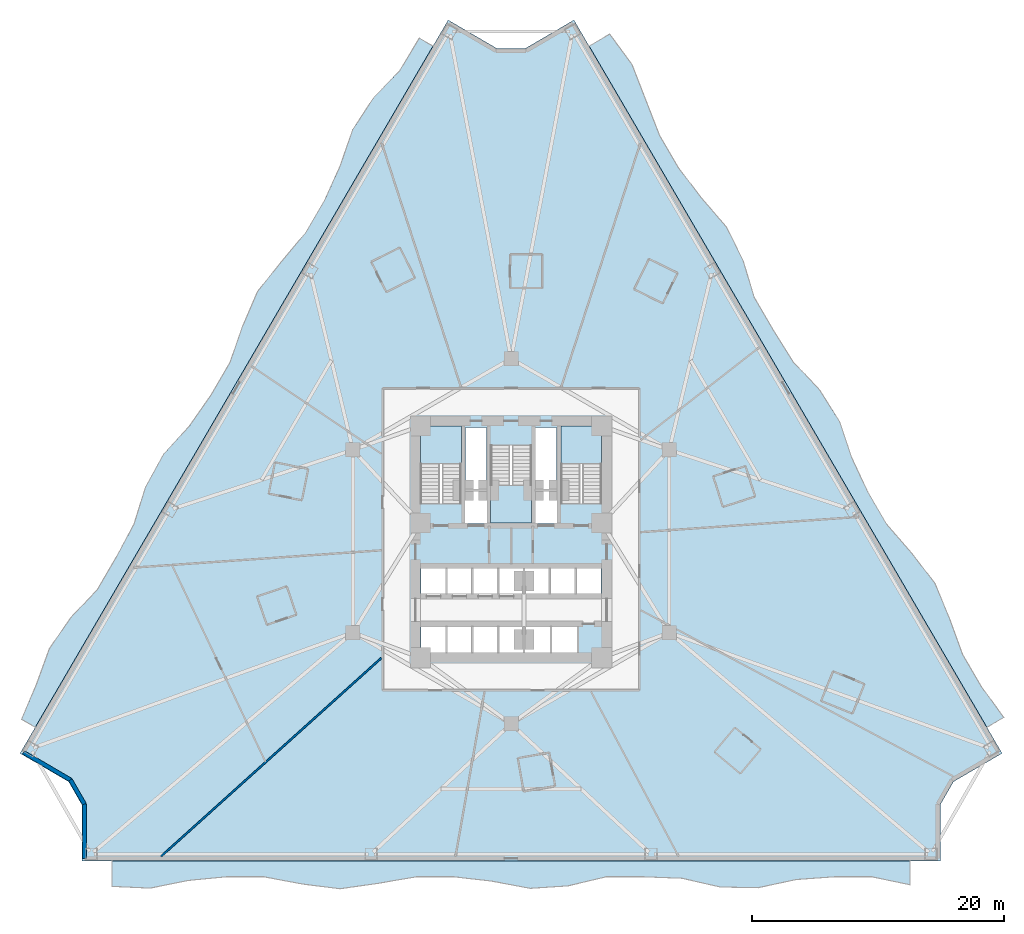
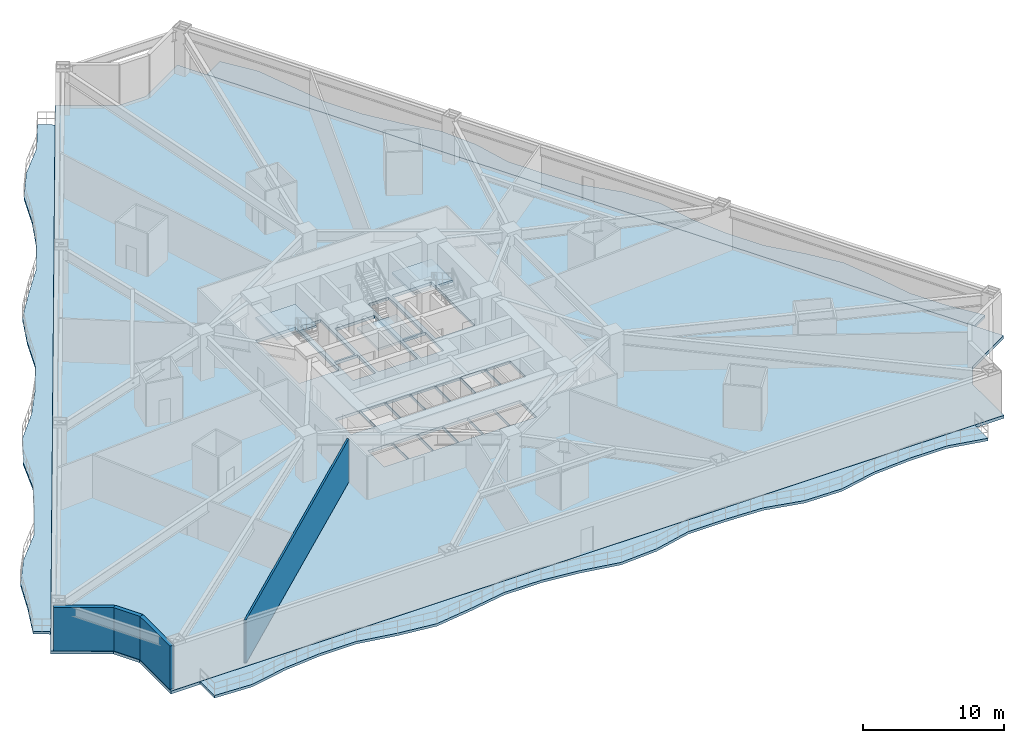
# One storey, part 2 of 12: 7 slabs, 4 walls, 3 elements without a shape of their own.
"""IFC4 building model written with IfcOpenShell, lengths in metres."""

from ifc_helpers import new_model, si_unit, direction, frame, frame_2d, origin, place, context, subcontext, project, spatial, polyline, rectangle, outline, extrude, material, layer, layer_set, type_object, element, aggregate, save


model = new_model("IFC4")

# Units and contexts
model_context = context("Model", 3, precision=1e-05, world=origin(), true_north=direction((0.0, 1.0)))
body_context = subcontext(model_context, "Body", "Model", "MODEL_VIEW")
ifc_project = project(units=[si_unit("LENGTHUNIT", "METRE"), si_unit("AREAUNIT", "SQUARE_METRE"), si_unit("VOLUMEUNIT", "CUBIC_METRE"), si_unit("PLANEANGLEUNIT", "RADIAN"), si_unit("MASSUNIT", "GRAM", prefix="KILO")], contexts=[model_context])

# Site, building, storey
site_placement = place(None, origin())
site = spatial("IfcSite", under=ifc_project, at=site_placement, CompositionType="ELEMENT")
building_placement = place(site_placement, origin())
building = spatial("IfcBuilding", under=site, at=building_placement, Name="Apsidion Concourse Tower", CompositionType="ELEMENT")
storey_placement = place(building_placement, frame((0.0, 0.0, 34.39990234375)))
storey = spatial("IfcBuildingStorey", under=building, at=storey_placement, Name="L06", CompositionType="ELEMENT", Elevation=34.39990234375)

# Slabs
ifc_material_1 = material(Name="Concrete C50/60", Category="concrete")
ifc_layer_1 = layer(ifc_material_1, 0.219970703125)
ifc_layer_set_1 = layer_set([ifc_layer_1], Name="Concrete C50/60")
slab_type_1 = type_object("IfcSlabType", Name="SL-BAL-220", PredefinedType="FLOOR", material=ifc_layer_set_1)
slab_1_placement = place(storey_placement, frame((0.0, 0.0, -0.219970703125)))
element("IfcSlab", 1, at=slab_1_placement, inside=storey, type_object=slab_type_1, Name="L06 Face 1 Rippling Balcony Slab", PredefinedType="FLOOR", context=body_context, shape_type="SweptSolid", body=[
    extrude(outline(polyline([(-6.204833984375, 39.32275390625), (-7.708740234375, 36.746826171875), (-9.212890625, 34.1708984375), (-10.716796875, 31.594970703125), (-12.220947265625, 29.018798828125), (-13.724853515625, 26.44287109375), (-15.22900390625, 23.866943359375), (-16.73291015625, 21.291015625), (-18.237060546875, 18.715087890625), (-19.740966796875, 16.138916015625), (-21.2451171875, 13.56298828125), (-22.7490234375, 10.987060546875), (-24.253173828125, 8.410888671875), (-25.757080078125, 5.8349609375), (-27.260986328125, 3.259033203125), (-28.76513671875, 0.68310546875), (-30.269287109375, -1.892822265625), (-31.773193359375, -4.468994140625), (-33.277099609375, -7.044921875), (-34.78125, -9.620849609375), (-36.285400390625, -12.19677734375), (-37.789306640625, -14.772705078125), (-38.868896484375, -14.142578125), (-37.698974609375, -11.371337890625), (-36.66162109375, -8.52294921875), (-34.9619140625, -6.061279296875), (-32.852783203125, -3.838623046875), (-31.3486328125, -1.2626953125), (-29.942138671875, 1.370361328125), (-29.031982421875, 4.293212890625), (-27.593505859375, 6.9072265625), (-25.54638671875, 9.166259765625), (-23.82861328125, 11.6171875), (-22.324462890625, 14.193359375), (-21.3251953125, 17.06396484375), (-20.135986328125, 19.82373046875), (-18.26171875, 22.18359375), (-16.308349609375, 24.497314453125), (-14.804443359375, 27.0732421875), (-13.574462890625, 29.80908203125), (-12.578125, 32.681640625), (-10.943115234375, 35.180908203125), (-8.8291015625, 37.40087890625), (-7.2841796875, 39.953125), (-6.204833984375, 39.32275390625)])), origin(), (0.0, 0.0, 1.0), 0.219970703125),
])
slab_2_placement = place(storey_placement, frame((0.0, 0.0, -0.219970703125)))
element("IfcSlab", 2, at=slab_2_placement, inside=storey, type_object=slab_type_1, Name="L06 Face 2 Rippling Balcony Slab", PredefinedType="FLOOR", context=body_context, shape_type="SweptSolid", body=[
    extrude(outline(polyline([(-31.68798828125, -25.39990234375), (-28.670166015625, -25.39990234375), (-25.65234375, -25.39990234375), (-22.634521484375, -25.39990234375), (-19.616455078125, -25.39990234375), (-16.598388671875, -25.39990234375), (-13.58056640625, -25.39990234375), (-10.562744140625, -25.39990234375), (-7.544921875, -25.39990234375), (-4.52685546875, -25.39990234375), (-1.509033203125, -25.39990234375), (1.509033203125, -25.39990234375), (4.52685546875, -25.39990234375), (7.544921875, -25.39990234375), (10.562744140625, -25.39990234375), (13.58056640625, -25.39990234375), (16.598388671875, -25.39990234375), (19.616455078125, -25.39990234375), (22.634521484375, -25.39990234375), (25.65234375, -25.39990234375), (28.670166015625, -25.39990234375), (31.68798828125, -25.39990234375), (31.68798828125, -27.284423828125), (28.670166015625, -26.64990234375), (25.65234375, -26.64990234375), (22.634521484375, -26.867919921875), (19.616455078125, -27.5166015625), (16.598388671875, -27.458251953125), (13.58056640625, -26.765869140625), (10.562744140625, -26.64990234375), (7.544921875, -26.64990234375), (4.52685546875, -27.369140625), (1.509033203125, -27.568115234375), (-1.509033203125, -26.99560546875), (-4.52685546875, -26.64990234375), (-7.544921875, -26.64990234375), (-10.562744140625, -27.1689453125), (-13.58056640625, -27.599365234375), (-16.598388671875, -27.2197265625), (-19.616455078125, -26.64990234375), (-22.634521484375, -26.64990234375), (-25.65234375, -26.94091796875), (-28.670166015625, -27.548828125), (-31.68798828125, -27.40966796875), (-31.68798828125, -25.39990234375)])), origin(), (0.0, 0.0, 1.0), 0.219970703125),
])
slab_3_placement = place(storey_placement, frame((0.0, 0.0, -0.219970703125)))
element("IfcSlab", 3, at=slab_3_placement, inside=storey, type_object=slab_type_1, Name="L06 Face 3 Rippling Balcony Slab", PredefinedType="FLOOR", context=body_context, shape_type="SweptSolid", body=[
    extrude(outline(polyline([(37.789306640625, -14.772705078125), (36.285400390625, -12.19677734375), (34.78125, -9.620849609375), (33.277099609375, -7.044921875), (31.773193359375, -4.468994140625), (30.269287109375, -1.892822265625), (28.76513671875, 0.68310546875), (27.260986328125, 3.259033203125), (25.757080078125, 5.8349609375), (24.253173828125, 8.410888671875), (22.7490234375, 10.987060546875), (21.2451171875, 13.56298828125), (19.740966796875, 16.138916015625), (18.237060546875, 18.715087890625), (16.73291015625, 21.291015625), (15.22900390625, 23.866943359375), (13.724853515625, 26.44287109375), (12.220947265625, 29.018798828125), (10.716796875, 31.594970703125), (9.212890625, 34.1708984375), (7.708740234375, 36.746826171875), (6.204833984375, 39.32275390625), (7.828857421875, 40.27099609375), (9.603759765625, 37.85302734375), (10.698486328125, 35.038330078125), (11.79638671875, 32.22509765625), (13.30029296875, 29.649169921875), (15.12353515625, 27.259521484375), (17.10498046875, 24.96240234375), (18.429443359375, 22.281494140625), (19.31640625, 19.34521484375), (20.820556640625, 16.769287109375), (22.40771484375, 14.24169921875), (24.51025390625, 12.015380859375), (26.09619140625, 9.4873046875), (27.0654296875, 6.59912109375), (28.340576171875, 3.889404296875), (29.844482421875, 1.313232421875), (31.83984375, -0.975830078125), (33.6728515625, -3.359619140625), (34.820068359375, -6.14404296875), (35.860595703125, -8.990478515625), (37.36474609375, -11.566650390625), (39.127685546875, -13.9912109375), (37.789306640625, -14.772705078125)])), origin(), (0.0, 0.0, 1.0), 0.219970703125),
])
ifc_layer_2 = layer(ifc_material_1, 0.25)
ifc_layer_set_2 = layer_set([ifc_layer_2], Name="Concrete C50/60")
slab_type_2 = type_object("IfcSlabType", Name="SL-FLR-250", PredefinedType="FLOOR", material=ifc_layer_set_2)
slab_4_placement = place(storey_placement, frame((0.0, 0.0, -0.25)))
element("IfcSlab", 4, at=slab_4_placement, inside=storey, type_object=slab_type_2, Name="L06 Structural Floor Slab", PredefinedType="FLOOR", context=body_context, shape_type="SweptSolid", body=[
    extrude(outline(polyline([(4.99462890625, 41.3955078125), (1.13427734375, 39.141357421875), (-1.13427734375, 39.141357421875), (-4.99462890625, 41.3955078125), (-38.99951171875, -16.845458984375), (-35.138916015625, -19.099365234375), (-34.088134765625, -20.9296875), (-34.088134765625, -25.39990234375), (34.088134765625, -25.39990234375), (34.088134765625, -20.9296875), (35.138916015625, -19.099365234375), (38.99951171875, -16.845458984375), (4.99462890625, 41.3955078125)]), holes=[polyline([(-3.949951171875, 3.0), (-3.949951171875, 9.14990234375), (-7.199951171875, 9.14990234375), (-7.199951171875, 3.0), (-3.949951171875, 3.0)]), polyline([(7.199951171875, 3.0), (7.199951171875, 9.14990234375), (3.949951171875, 9.14990234375), (3.949951171875, 3.0), (7.199951171875, 3.0)]), polyline([(-1.625, 7.60009765625), (-1.625, 1.449951171875), (1.625, 1.449951171875), (1.625, 7.60009765625), (-1.625, 7.60009765625)]), polyline([(-7.14501953125, -4.300048828125), (-5.155029296875, -4.300048828125), (-5.155029296875, -2.050048828125), (-7.14501953125, -2.050048828125), (-7.14501953125, -4.300048828125)]), polyline([(-5.094970703125, -4.300048828125), (-3.10498046875, -4.300048828125), (-3.10498046875, -2.050048828125), (-5.094970703125, -2.050048828125), (-5.094970703125, -4.300048828125)]), polyline([(-3.044921875, -4.300048828125), (-1.054931640625, -4.300048828125), (-1.054931640625, -2.050048828125), (-3.044921875, -2.050048828125), (-3.044921875, -4.300048828125)]), polyline([(-0.9951171875, -4.300048828125), (0.9951171875, -4.300048828125), (0.9951171875, -2.050048828125), (-0.9951171875, -2.050048828125), (-0.9951171875, -4.300048828125)]), polyline([(1.054931640625, -4.300048828125), (3.044921875, -4.300048828125), (3.044921875, -2.050048828125), (1.054931640625, -2.050048828125), (1.054931640625, -4.300048828125)]), polyline([(3.10498046875, -4.300048828125), (5.094970703125, -4.300048828125), (5.094970703125, -2.050048828125), (3.10498046875, -2.050048828125), (3.10498046875, -4.300048828125)]), polyline([(5.155029296875, -4.300048828125), (7.14501953125, -4.300048828125), (7.14501953125, -2.050048828125), (5.155029296875, -2.050048828125), (5.155029296875, -4.300048828125)]), polyline([(-7.14501953125, -8.949951171875), (-5.155029296875, -8.949951171875), (-5.155029296875, -6.64990234375), (-7.14501953125, -6.64990234375), (-7.14501953125, -8.949951171875)]), polyline([(-5.094970703125, -8.949951171875), (-3.10498046875, -8.949951171875), (-3.10498046875, -6.64990234375), (-5.094970703125, -6.64990234375), (-5.094970703125, -8.949951171875)]), polyline([(-3.044921875, -8.949951171875), (-1.054931640625, -8.949951171875), (-1.054931640625, -6.64990234375), (-3.044921875, -6.64990234375), (-3.044921875, -8.949951171875)]), polyline([(-0.9951171875, -8.949951171875), (0.9951171875, -8.949951171875), (0.9951171875, -6.64990234375), (-0.9951171875, -6.64990234375), (-0.9951171875, -8.949951171875)]), polyline([(1.044921875, -9.0), (3.155029296875, -9.0), (3.155029296875, -6.64990234375), (1.044921875, -6.64990234375), (1.044921875, -9.0)]), polyline([(3.195068359375, -9.0), (5.304931640625, -9.0), (5.304931640625, -6.64990234375), (3.195068359375, -6.64990234375), (3.195068359375, -9.0)]), polyline([(-3.7099609375, 1.39990234375), (-1.85009765625, 1.39990234375), (-1.85009765625, 4.0), (-3.7099609375, 4.0), (-3.7099609375, 1.39990234375)]), polyline([(1.85009765625, 1.39990234375), (3.7099609375, 1.39990234375), (3.7099609375, 4.0), (1.85009765625, 4.0), (1.85009765625, 1.39990234375)]), polyline([(-3.6201171875, 4.14990234375), (-1.93994140625, 4.14990234375), (-1.93994140625, 9.050048828125), (-3.6201171875, 9.050048828125), (-3.6201171875, 4.14990234375)]), polyline([(1.93994140625, 4.14990234375), (3.6201171875, 4.14990234375), (3.6201171875, 9.050048828125), (1.93994140625, 9.050048828125), (1.93994140625, 4.14990234375)])]), origin(), (0.0, 0.0, 1.0), 0.25),
])

# Stair, slab
ifc_material_2 = material(Name="Precast concrete C40/50", Category="concrete")
stair_type = type_object("IfcStairType", Name="ST-DL-1550", PredefinedType="HALF_TURN_STAIR", material=ifc_material_2)
stair_1_placement = place(storey_placement, origin())
stair_1 = element("IfcStair", 5, at=stair_1_placement, inside=storey, type_object=stair_type, Name="L06 Protected Core Exit Stair ST1", PredefinedType="HALF_TURN_STAIR")
ifc_layer_3 = layer(ifc_material_1, 0.199951171875)
ifc_layer_set_3 = layer_set([ifc_layer_3], Name="Concrete C50/60")
slab_type_3 = type_object("IfcSlabType", Name="SL-ST-LAND-200", PredefinedType="LANDING", material=ifc_layer_set_3)
slab_5_placement = place(storey_placement, frame((0.0, 0.0, 1.800048828125)))
slab_5 = element("IfcSlab", 6, at=slab_5_placement, type_object=slab_type_3, Name="ST1 landing 1", PredefinedType="LANDING", context=body_context, shape_type="SweptSolid", body=[
    extrude(outline(polyline([(-3.949951171875, 6.135009765625), (-3.949951171875, 9.14990234375), (-7.199951171875, 9.14990234375), (-7.199951171875, 6.135009765625), (-3.949951171875, 6.135009765625)])), origin(), (0.0, 0.0, 1.0), 0.199951171875),
])
aggregate(stair_1, [slab_5])

stair_2_placement = place(storey_placement, origin())
stair_2 = element("IfcStair", 7, at=stair_2_placement, inside=storey, type_object=stair_type, Name="L06 Protected Core Exit Stair ST2", PredefinedType="HALF_TURN_STAIR")
slab_6_placement = place(storey_placement, frame((0.0, 0.0, 1.800048828125)))
slab_6 = element("IfcSlab", 8, at=slab_6_placement, type_object=slab_type_3, Name="ST2 landing 1", PredefinedType="LANDING", context=body_context, shape_type="SweptSolid", body=[
    extrude(outline(polyline([(7.199951171875, 6.135009765625), (7.199951171875, 9.14990234375), (3.949951171875, 9.14990234375), (3.949951171875, 6.135009765625), (7.199951171875, 6.135009765625)])), origin(), (0.0, 0.0, 1.0), 0.199951171875),
])
aggregate(stair_2, [slab_6])

stair_3_placement = place(storey_placement, origin())
stair_3 = element("IfcStair", 9, at=stair_3_placement, inside=storey, type_object=stair_type, Name="L06 Protected Core Exit Stair ST3", PredefinedType="HALF_TURN_STAIR")
slab_7_placement = place(storey_placement, frame((0.0, 0.0, 1.800048828125)))
slab_7 = element("IfcSlab", 10, at=slab_7_placement, type_object=slab_type_3, Name="ST3 landing 1", PredefinedType="LANDING", context=body_context, shape_type="SweptSolid", body=[
    extrude(outline(polyline([(-1.625, 4.465087890625), (-1.625, 1.449951171875), (1.625, 1.449951171875), (1.625, 4.465087890625), (-1.625, 4.465087890625)])), origin(), (0.0, 0.0, 1.0), 0.199951171875),
])
aggregate(stair_3, [slab_7])

# Walls
ifc_layer_4 = layer(ifc_material_2, 0.320068359375)
ifc_layer_set_4 = layer_set([ifc_layer_4], Name="Precast concrete C40/50")
wall_type_1 = type_object("IfcWallType", Name="WL-EXT-320", PredefinedType="STANDARD", material=ifc_layer_set_4)
wall_1_placement = place(storey_placement, frame((-33.88818359375, -25.199951171875, 0.0), z_axis=(0.0, 0.0, 1.0), x_axis=(0.0, 1.0, 0.0)))
element("IfcWall", 11, at=wall_1_placement, inside=storey, type_object=wall_type_1, Name="L06 Precast Stone Facade Wall 06", PredefinedType="STANDARD", context=body_context, shape_type="SweptSolid", body=[
    extrude(rectangle(XDim=4.32373046875, YDim=0.320068359375, at=frame_2d((2.161865234375, 0.0))), origin(), (0.0, 0.0, 1.0), 3.75),
])
wall_2_placement = place(storey_placement, frame((-33.88818359375, -20.876220703125, 0.0), z_axis=(0.0, 0.0, 1.0), x_axis=(-0.497881323344, 0.867245171717, 0.0)))
element("IfcWall", 12, at=wall_2_placement, inside=storey, type_object=wall_type_1, Name="L06 Precast Stone Facade Wall 07", PredefinedType="STANDARD", context=body_context, shape_type="SweptSolid", body=[
    extrude(rectangle(XDim=2.216796875, YDim=0.320068359375, at=frame_2d((1.1083984375, 0.0))), origin(), (0.0, 0.0, 1.0), 3.75),
])
wall_3_placement = place(storey_placement, frame((-34.991943359375, -18.95361328125, 0.0), z_axis=(0.0, 0.0, 1.0), x_axis=(-0.863569936823, 0.504229079105, 0.0)))
element("IfcWall", 13, at=wall_3_placement, inside=storey, type_object=wall_type_1, Name="L06 Precast Stone Facade Wall 08", PredefinedType="STANDARD", context=body_context, shape_type="SweptSolid", body=[
    extrude(rectangle(XDim=4.32373046875, YDim=0.320068359375, at=frame_2d((2.161865234375, 0.0))), origin(), (0.0, 0.0, 1.0), 3.75),
])
ifc_material_3 = material(Name="Gypsum plasterboard partition")
ifc_layer_5 = layer(ifc_material_3, 0.14990234375)
ifc_layer_set_5 = layer_set([ifc_layer_5], Name="Gypsum plasterboard partition")
wall_type_2 = type_object("IfcWallType", Name="WL-INT-PAR-150", PredefinedType="PARTITIONING", material=ifc_layer_set_5)
wall_4_placement = place(storey_placement, frame((-10.304931640625, -9.27880859375, 0.0), z_axis=(0.0, 0.0, 1.0), x_axis=(-0.743153814776, -0.669120622596, 0.0)))
element("IfcWall", 14, at=wall_4_placement, inside=storey, type_object=wall_type_2, Name="L06 Interior Partition WL-L06-RAD-07-1", PredefinedType="PARTITIONING", context=body_context, shape_type="SweptSolid", body=[
    extrude(rectangle(XDim=23.532470703125, YDim=0.14990234375, at=frame_2d((11.76611328125, 0.0))), origin(), (0.0, 0.0, 1.0), 3.75),
])

save(model, "model.ifc")
